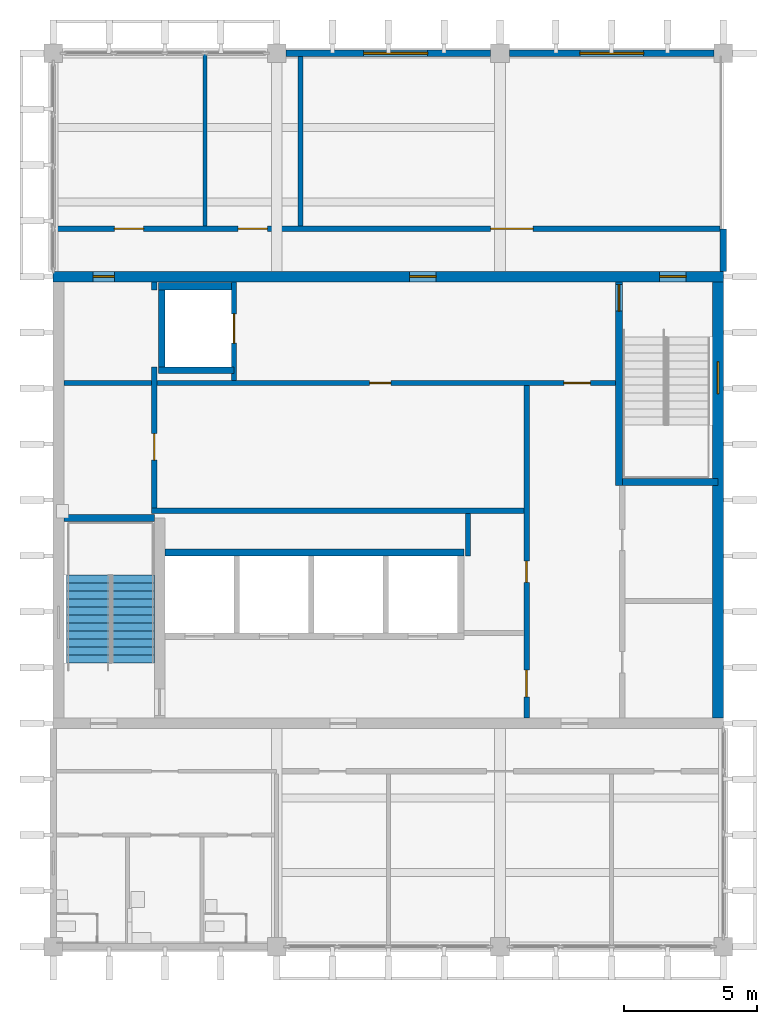
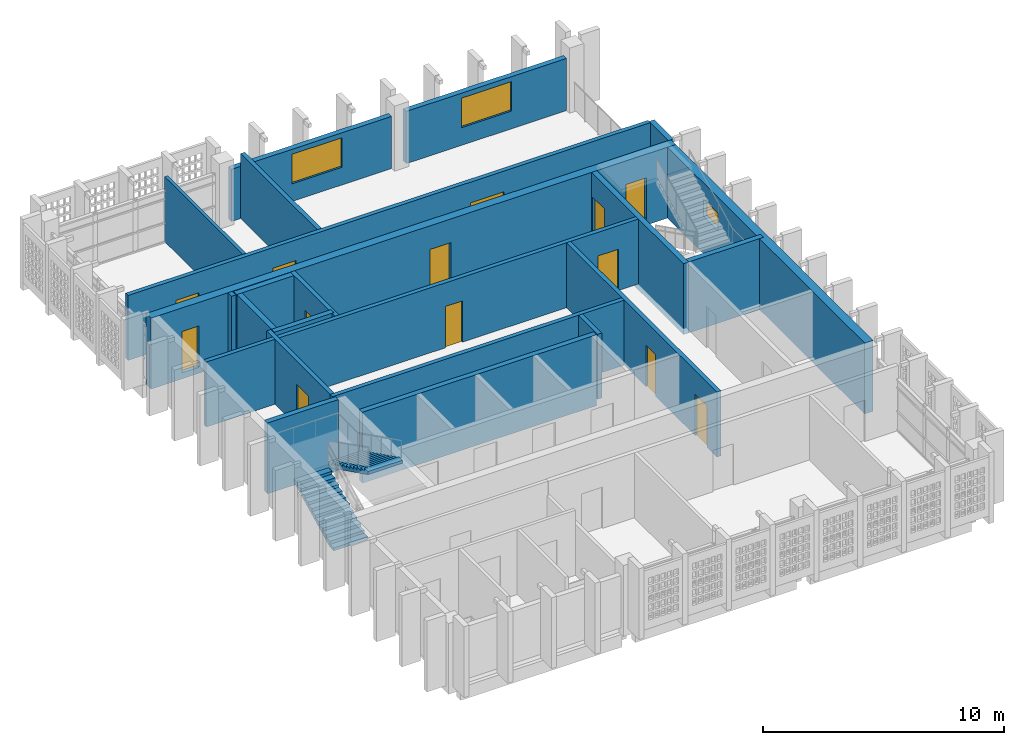
# One storey, part 5 of 13: 22 walls, 13 doors, 3 windows, 2 stair flights, 16 openings, 1 element without a shape of its own.
"""IFC4 building model written with IfcOpenShell, lengths in metres."""

from ifc_helpers import new_model, si_unit, direction, frame, frame_2d, origin, place, context, subcontext, project, spatial, polyline, rectangle, outline, extrude, material, layer, layer_set, type_object, element, fill, aggregate, save


model = new_model("IFC4")

# Units and contexts
model_context = context("Model", 3, precision=1e-05, world=origin(), true_north=direction((0.0, 1.0)))
body_context = subcontext(model_context, "Body", "Model", "MODEL_VIEW")
ifc_project = project(units=[si_unit("LENGTHUNIT", "METRE"), si_unit("AREAUNIT", "SQUARE_METRE"), si_unit("VOLUMEUNIT", "CUBIC_METRE"), si_unit("PLANEANGLEUNIT", "RADIAN"), si_unit("MASSUNIT", "GRAM", prefix="KILO")], contexts=[model_context])

# Site, building, storey
site_placement = place(None, origin())
site = spatial("IfcSite", under=ifc_project, at=site_placement, CompositionType="ELEMENT")
building_placement = place(site_placement, origin())
building = spatial("IfcBuilding", under=site, at=building_placement, Name="Rulbaag Community and Learning Centre", CompositionType="ELEMENT")
storey_placement = place(building_placement, frame((0.0, 0.0, 54.0)))
storey = spatial("IfcBuildingStorey", under=building, at=storey_placement, Name="L14", CompositionType="ELEMENT", Elevation=54.0)

# Wall, opening, window
ifc_material_1 = material(Name="Concrete M40", Category="concrete")
ifc_layer_1 = layer(ifc_material_1, 0.25)
ifc_layer_set_1 = layer_set([ifc_layer_1], Name="EW-CONC250")
wall_type_1 = type_object("IfcWallType", Name="EW-CONC250", PredefinedType="STANDARD", material=ifc_layer_set_1)
wall_1_placement = place(storey_placement, frame((151.550048828125, 117.60009765625, 0.0), z_axis=(0.0, 0.0, 1.0), x_axis=(1.0, 0.0, 0.0)))
wall_1 = element("IfcWall", 1, at=wall_1_placement, inside=storey, type_object=wall_type_1, Name="Board-marked concrete cladding wall BN", PredefinedType="STANDARD", context=body_context, shape_type="SweptSolid", body=[
    extrude(rectangle(XDim=7.699951171875, YDim=0.25, at=frame_2d((3.85009765625, 0.0))), origin(), (0.0, 0.0, 1.0), 2.64990234375),
])
opening_1_placement = place(wall_1_placement, frame((2.925048828125, 0.0, 0.89990234375)))
opening_1 = element("IfcOpeningElement", 2, at=opening_1_placement, cuts=wall_1, Name="Opening WN15", PredefinedType="OPENING", context=body_context, shape_type="SweptSolid", body=[
    extrude(rectangle(XDim=2.39990234375, YDim=1.5, at=frame_2d((1.199951171875, 0.75))), frame((0.0, 0.135009765625, 0.0), z_axis=(0.0, -1.0, 0.0), x_axis=(1.0, 0.0, 0.0)), (0.0, 0.0, 1.0), 0.27001953125),
])
ifc_material_2 = material(Name="Aluminium", Category="aluminium")
window_type_1 = type_object("IfcWindowType", Name="WR-24", PartitioningType="DOUBLE_PANEL_VERTICAL", PredefinedType="WINDOW", material=ifc_material_2)
window_1_placement = place(opening_1_placement, origin())
window_1 = element("IfcWindow", 3, at=window_1_placement, inside=storey, type_object=window_type_1, Name="Window WN15", OverallHeight=1.5, OverallWidth=2.39990234375, PartitioningType="SINGLE_PANEL", PredefinedType="WINDOW", context=body_context, shape_type="SweptSolid", body=[
    extrude(rectangle(XDim=2.39990234375, YDim=1.5, at=frame_2d((1.199951171875, 0.75))), frame((0.0, 0.030029296875, 0.0), z_axis=(0.0, -1.0, 0.0), x_axis=(1.0, 0.0, 0.0)), (0.0, 0.0, 1.0), 0.06005859375),
])
fill(opening_1, window_1)

wall_2_placement = place(storey_placement, frame((159.949951171875, 117.60009765625, 0.0), z_axis=(0.0, 0.0, 1.0), x_axis=(1.0, 0.0, 0.0)))
wall_2 = element("IfcWall", 4, at=wall_2_placement, inside=storey, type_object=wall_type_1, Name="Board-marked concrete cladding wall BN", PredefinedType="STANDARD", context=body_context, shape_type="SweptSolid", body=[
    extrude(rectangle(XDim=7.699951171875, YDim=0.25, at=frame_2d((3.85009765625, 0.0))), origin(), (0.0, 0.0, 1.0), 2.64990234375),
])
opening_2_placement = place(wall_2_placement, frame((2.64990234375, 0.0, 0.89990234375)))
opening_2 = element("IfcOpeningElement", 5, at=opening_2_placement, cuts=wall_2, Name="Opening WN15", PredefinedType="OPENING", context=body_context, shape_type="SweptSolid", body=[
    extrude(rectangle(XDim=2.39990234375, YDim=1.5, at=frame_2d((1.199951171875, 0.75))), frame((0.0, 0.135009765625, 0.0), z_axis=(0.0, -1.0, 0.0), x_axis=(1.0, 0.0, 0.0)), (0.0, 0.0, 1.0), 0.27001953125),
])
window_2_placement = place(opening_2_placement, origin())
window_2 = element("IfcWindow", 6, at=window_2_placement, inside=storey, type_object=window_type_1, Name="Window WN15", OverallHeight=1.5, OverallWidth=2.39990234375, PartitioningType="SINGLE_PANEL", PredefinedType="WINDOW", context=body_context, shape_type="SweptSolid", body=[
    extrude(rectangle(XDim=2.39990234375, YDim=1.5, at=frame_2d((1.199951171875, 0.75))), frame((0.0, 0.030029296875, 0.0), z_axis=(0.0, -1.0, 0.0), x_axis=(1.0, 0.0, 0.0)), (0.0, 0.0, 1.0), 0.06005859375),
])
fill(opening_2, window_2)

# Walls
wall_3_placement = place(storey_placement, frame((168.0, 109.39990234375, 0.0), z_axis=(0.0, 0.0, 1.0), x_axis=(0.0, 1.0, 0.0)))
element("IfcWall", 7, at=wall_3_placement, inside=storey, type_object=wall_type_1, Name="Board-marked concrete cladding wall BE", PredefinedType="STANDARD", context=body_context, shape_type="SweptSolid", body=[
    extrude(rectangle(XDim=1.60009765625, YDim=0.25, at=frame_2d((0.800048828125, 0.0))), origin(), (0.0, 0.0, 1.0), 3.300048828125),
])
ifc_material_3 = material(Name="Concrete blockwork", Category="masonry")
ifc_layer_2 = layer(ifc_material_3, 0.199951171875)
ifc_layer_set_2 = layer_set([ifc_layer_2], Name="FW-200 FIRE WALL 200")
wall_type_2 = type_object("IfcWallType", Name="FW-200 FIRE WALL 200", PredefinedType="SOLIDWALL", material=ifc_layer_set_2)
wall_4_placement = place(storey_placement, frame((146.5, 100.39990234375, 0.0), z_axis=(0.0, 0.0, 1.0), x_axis=(1.0, 0.0, 0.0)))
element("IfcWall", 8, at=wall_4_placement, inside=storey, type_object=wall_type_2, Name="Fire wall L14 8", PredefinedType="SOLIDWALL", context=body_context, shape_type="SweptSolid", body=[
    extrude(rectangle(XDim=14.0, YDim=0.199951171875, at=frame_2d((7.0, 0.0))), origin(), (0.0, 0.0, 1.0), 3.300048828125),
])

# Wall, openings, doors
wall_5_placement = place(storey_placement, frame((143.199951171875, 105.199951171875, 0.0), z_axis=(0.0, 0.0, 1.0), x_axis=(1.0, 0.0, 0.0)))
wall_5 = element("IfcWall", 9, at=wall_5_placement, inside=storey, type_object=wall_type_2, Name="Fire wall L14 9", PredefinedType="SOLIDWALL", context=body_context, shape_type="SweptSolid", body=[
    extrude(rectangle(XDim=20.75, YDim=0.199951171875, at=frame_2d((10.375, 0.0))), origin(), (0.0, 0.0, 1.0), 3.300048828125),
])
opening_3_placement = place(wall_5_placement, frame((11.5, 0.0, 0.0)))
opening_3 = element("IfcOpeningElement", 10, at=opening_3_placement, cuts=wall_5, Name="Opening L14-D019", PredefinedType="OPENING", context=body_context, shape_type="SweptSolid", body=[
    extrude(rectangle(XDim=0.800048828125, YDim=2.10009765625, at=frame_2d((0.39990234375, 1.050048828125))), frame((0.0, 0.10986328125, 0.0), z_axis=(0.0, -1.0, 0.0), x_axis=(1.0, 0.0, 0.0)), (0.0, 0.0, 1.0), 0.219970703125),
])
opening_4_placement = place(wall_5_placement, frame((18.800048828125, 0.0, 0.0)))
opening_4 = element("IfcOpeningElement", 11, at=opening_4_placement, cuts=wall_5, Name="Opening L14-D027", PredefinedType="OPENING", context=body_context, shape_type="SweptSolid", body=[
    extrude(rectangle(XDim=1.0, YDim=2.10009765625, at=frame_2d((0.5, 1.050048828125))), frame((0.0, 0.10986328125, 0.0), z_axis=(0.0, -1.0, 0.0), x_axis=(1.0, 0.0, 0.0)), (0.0, 0.0, 1.0), 0.219970703125),
])
ifc_material_4 = material(Name="Galvanised steel", Category="steel")
door_type_1 = type_object("IfcDoorType", Name="FD-1000 FIRE DOOR 1000 x 2100", OperationType="SINGLE_SWING_LEFT", PredefinedType="DOOR", material=ifc_material_4)
door_1_placement = place(opening_4_placement, origin())
door_1 = element("IfcDoor", 12, at=door_1_placement, inside=storey, type_object=door_type_1, Name="Door L14-D027", OperationType="SINGLE_SWING_LEFT", OverallHeight=2.10009765625, OverallWidth=1.0, PredefinedType="DOOR", context=body_context, shape_type="SweptSolid", body=[
    extrude(rectangle(XDim=1.0, YDim=2.10009765625, at=frame_2d((0.5, 1.050048828125))), frame((0.0, 0.02490234375, 0.0), z_axis=(0.0, -1.0, 0.0), x_axis=(1.0, 0.0, 0.0)), (0.0, 0.0, 1.0), 0.050048828125),
])
fill(opening_4, door_1)
door_type_2 = type_object("IfcDoorType", Name="FDR-800 RISER FIRE DOOR 800 x 2100", OperationType="SINGLE_SWING_LEFT", PredefinedType="DOOR", material=ifc_material_4)
door_2_placement = place(opening_3_placement, origin())
door_2 = element("IfcDoor", 13, at=door_2_placement, inside=storey, type_object=door_type_2, Name="Riser door L14-D022", OperationType="SINGLE_SWING_RIGHT", OverallHeight=2.10009765625, OverallWidth=0.800048828125, PredefinedType="DOOR", context=body_context, shape_type="SweptSolid", body=[
    extrude(rectangle(XDim=0.800048828125, YDim=2.10009765625, at=frame_2d((0.39990234375, 1.050048828125))), frame((0.0, 0.02490234375, 0.0), z_axis=(0.0, -1.0, 0.0), x_axis=(1.0, 0.0, 0.0)), (0.0, 0.0, 1.0), 0.050048828125),
])
fill(opening_3, door_2)

wall_6_placement = place(storey_placement, frame((142.800048828125, 111.0, 0.0), z_axis=(0.0, 0.0, 1.0), x_axis=(1.0, 0.0, 0.0)))
wall_6 = element("IfcWall", 14, at=wall_6_placement, inside=storey, type_object=wall_type_2, Name="Fire wall L14 10", PredefinedType="SOLIDWALL", context=body_context, shape_type="SweptSolid", body=[
    extrude(rectangle(XDim=25.074951171875, YDim=0.199951171875, at=frame_2d((12.53759765625, 0.0))), origin(), (0.0, 0.0, 1.0), 3.300048828125),
])
opening_5_placement = place(wall_6_placement, frame((2.300048828125, 0.0, 0.0)))
opening_5 = element("IfcOpeningElement", 15, at=opening_5_placement, cuts=wall_6, Name="Opening L14-D005", PredefinedType="OPENING", context=body_context, shape_type="SweptSolid", body=[
    extrude(rectangle(XDim=1.10009765625, YDim=2.25, at=frame_2d((0.550048828125, 1.125))), frame((0.0, 0.10986328125, 0.0), z_axis=(0.0, -1.0, 0.0), x_axis=(1.0, 0.0, 0.0)), (0.0, 0.0, 1.0), 0.219970703125),
])
opening_6_placement = place(wall_6_placement, frame((6.949951171875, 0.0, 0.0)))
opening_6 = element("IfcOpeningElement", 16, at=opening_6_placement, cuts=wall_6, Name="Opening L14-D014", PredefinedType="OPENING", context=body_context, shape_type="SweptSolid", body=[
    extrude(rectangle(XDim=1.10009765625, YDim=2.25, at=frame_2d((0.550048828125, 1.125))), frame((0.0, 0.10986328125, 0.0), z_axis=(0.0, -1.0, 0.0), x_axis=(1.0, 0.0, 0.0)), (0.0, 0.0, 1.0), 0.219970703125),
])
opening_7_placement = place(wall_6_placement, frame((16.449951171875, 0.0, 0.0)))
opening_7 = element("IfcOpeningElement", 17, at=opening_7_placement, cuts=wall_6, Name="Opening L14-D023", PredefinedType="OPENING", context=body_context, shape_type="SweptSolid", body=[
    extrude(rectangle(XDim=1.60009765625, YDim=2.25, at=frame_2d((0.800048828125, 1.125))), frame((0.0, 0.10986328125, 0.0), z_axis=(0.0, -1.0, 0.0), x_axis=(1.0, 0.0, 0.0)), (0.0, 0.0, 1.0), 0.219970703125),
])
ifc_material_5 = material(Name="Timber", Category="wood")
door_type_3 = type_object("IfcDoorType", Name="D-1100 OFFICE SUITE ENTRANCE DOOR 1100 x 2250", OperationType="SINGLE_SWING_LEFT", PredefinedType="DOOR", material=ifc_material_5)
door_3_placement = place(opening_5_placement, origin())
door_3 = element("IfcDoor", 18, at=door_3_placement, inside=storey, type_object=door_type_3, Name="Door L14-D005", OperationType="SINGLE_SWING_RIGHT", OverallHeight=2.25, OverallWidth=1.10009765625, PredefinedType="DOOR", context=body_context, shape_type="SweptSolid", body=[
    extrude(rectangle(XDim=1.10009765625, YDim=2.25, at=frame_2d((0.550048828125, 1.125))), frame((0.0, 0.02490234375, 0.0), z_axis=(0.0, -1.0, 0.0), x_axis=(1.0, 0.0, 0.0)), (0.0, 0.0, 1.0), 0.050048828125),
])
fill(opening_5, door_3)
door_4_placement = place(opening_6_placement, origin())
door_4 = element("IfcDoor", 19, at=door_4_placement, inside=storey, type_object=door_type_3, Name="Door L14-D014", OperationType="SINGLE_SWING_RIGHT", OverallHeight=2.25, OverallWidth=1.10009765625, PredefinedType="DOOR", context=body_context, shape_type="SweptSolid", body=[
    extrude(rectangle(XDim=1.10009765625, YDim=2.25, at=frame_2d((0.550048828125, 1.125))), frame((0.0, 0.02490234375, 0.0), z_axis=(0.0, -1.0, 0.0), x_axis=(1.0, 0.0, 0.0)), (0.0, 0.0, 1.0), 0.050048828125),
])
fill(opening_6, door_4)
door_type_4 = type_object("IfcDoorType", Name="FD-1600 REFUGE AREA DOUBLE FIRE DOOR 1600 x 2250", OperationType="DOUBLE_DOOR_SINGLE_SWING", PredefinedType="DOOR", material=ifc_material_5)
door_5_placement = place(opening_7_placement, origin())
door_5 = element("IfcDoor", 20, at=door_5_placement, inside=storey, type_object=door_type_4, Name="Door L14-D023", OperationType="DOUBLE_DOOR_SINGLE_SWING", OverallHeight=2.25, OverallWidth=1.60009765625, PredefinedType="DOOR", context=body_context, shape_type="SweptSolid", body=[
    extrude(rectangle(XDim=1.60009765625, YDim=2.25, at=frame_2d((0.800048828125, 1.125))), frame((0.0, 0.02490234375, 0.0), z_axis=(0.0, -1.0, 0.0), x_axis=(1.0, 0.0, 0.0)), (0.0, 0.0, 1.0), 0.050048828125),
])
fill(opening_7, door_5)

# Wall, opening, door
wall_7_placement = place(storey_placement, frame((146.60009765625, 100.5, 0.0), z_axis=(0.0, 0.0, 1.0), x_axis=(0.0, 1.0, 0.0)))
wall_7 = element("IfcWall", 21, at=wall_7_placement, inside=storey, type_object=wall_type_2, Name="Fire wall L14 12", PredefinedType="SOLIDWALL", context=body_context, shape_type="SweptSolid", body=[
    extrude(rectangle(XDim=5.300048828125, YDim=0.199951171875, at=frame_2d((2.64990234375, 0.0))), origin(), (0.0, 0.0, 1.0), 3.300048828125),
])
opening_8_placement = place(wall_7_placement, frame((1.800048828125, 0.0, 0.0)))
opening_8 = element("IfcOpeningElement", 22, at=opening_8_placement, cuts=wall_7, Name="Opening L14-D006", PredefinedType="OPENING", context=body_context, shape_type="SweptSolid", body=[
    extrude(rectangle(XDim=1.0, YDim=2.10009765625, at=frame_2d((0.5, 1.050048828125))), frame((0.0, 0.10986328125, 0.0), z_axis=(0.0, -1.0, 0.0), x_axis=(1.0, 0.0, 0.0)), (0.0, 0.0, 1.0), 0.219970703125),
])
door_6_placement = place(opening_8_placement, origin())
door_6 = element("IfcDoor", 23, at=door_6_placement, inside=storey, type_object=door_type_1, Name="Door L14-D006", OperationType="SINGLE_SWING_LEFT", OverallHeight=2.10009765625, OverallWidth=1.0, PredefinedType="DOOR", context=body_context, shape_type="SweptSolid", body=[
    extrude(rectangle(XDim=1.0, YDim=2.10009765625, at=frame_2d((0.5, 1.050048828125))), frame((0.0, 0.02490234375, 0.0), z_axis=(0.0, -1.0, 0.0), x_axis=(1.0, 0.0, 0.0)), (0.0, 0.0, 1.0), 0.050048828125),
])
fill(opening_8, door_6)

# Wall
wall_8_placement = place(storey_placement, frame((146.60009765625, 108.699951171875, 0.0), z_axis=(0.0, 0.0, 1.0), x_axis=(0.0, 1.0, 0.0)))
element("IfcWall", 24, at=wall_8_placement, inside=storey, type_object=wall_type_2, Name="Fire wall L14 13", PredefinedType="SOLIDWALL", context=body_context, shape_type="SweptSolid", body=[
    extrude(rectangle(XDim=0.300048828125, YDim=0.199951171875, at=frame_2d((0.14990234375, 0.0))), origin(), (0.0, 0.0, 1.0), 3.300048828125),
])

# Wall, opening, door
wall_9_placement = place(storey_placement, frame((149.60009765625, 105.300048828125, 0.0), z_axis=(0.0, 0.0, 1.0), x_axis=(0.0, 1.0, 0.0)))
wall_9 = element("IfcWall", 25, at=wall_9_placement, inside=storey, type_object=wall_type_2, Name="Fire wall L14 16", PredefinedType="SOLIDWALL", context=body_context, shape_type="SweptSolid", body=[
    extrude(rectangle(XDim=3.699951171875, YDim=0.199951171875, at=frame_2d((1.85009765625, 0.0))), origin(), (0.0, 0.0, 1.0), 3.300048828125),
])
opening_9_placement = place(wall_9_placement, frame((1.39990234375, 0.0, 0.0)))
opening_9 = element("IfcOpeningElement", 26, at=opening_9_placement, cuts=wall_9, Name="Opening L14-D011", PredefinedType="OPENING", context=body_context, shape_type="SweptSolid", body=[
    extrude(rectangle(XDim=1.10009765625, YDim=2.10009765625, at=frame_2d((0.550048828125, 1.050048828125))), frame((0.0, 0.10986328125, 0.0), z_axis=(0.0, -1.0, 0.0), x_axis=(1.0, 0.0, 0.0)), (0.0, 0.0, 1.0), 0.219970703125),
])
ifc_material_6 = material(Name="Stainless steel grade 304", Category="steel")
door_type_5 = type_object("IfcDoorType", Name="LD-1100 LIFT LANDING DOOR 1100 x 2100", OperationType="SLIDING_TO_LEFT", PredefinedType="DOOR", material=ifc_material_6)
door_7_placement = place(opening_9_placement, origin())
door_7 = element("IfcDoor", 27, at=door_7_placement, inside=storey, type_object=door_type_5, Name="Lift landing door LF1 L14", OperationType="SLIDING_TO_LEFT", OverallHeight=2.10009765625, OverallWidth=1.10009765625, PredefinedType="DOOR", context=body_context, shape_type="SweptSolid", body=[
    extrude(rectangle(XDim=1.10009765625, YDim=2.10009765625, at=frame_2d((0.550048828125, 1.050048828125))), frame((0.0, 0.02490234375, 0.0), z_axis=(0.0, -1.0, 0.0), x_axis=(1.0, 0.0, 0.0)), (0.0, 0.0, 1.0), 0.050048828125),
])
fill(opening_9, door_7)

# Walls
wall_10_placement = place(storey_placement, frame((152.10009765625, 111.10009765625, 0.0), z_axis=(0.0, 0.0, 1.0), x_axis=(0.0, 1.0, 0.0)))
element("IfcWall", 28, at=wall_10_placement, inside=storey, type_object=wall_type_2, Name="Fire wall L14 18", PredefinedType="SOLIDWALL", context=body_context, shape_type="SweptSolid", body=[
    extrude(rectangle(XDim=6.375, YDim=0.199951171875, at=frame_2d((3.1875, 0.0))), origin(), (0.0, 0.0, 1.0), 3.300048828125),
])
wall_11_placement = place(storey_placement, frame((158.39990234375, 98.699951171875, 0.0), z_axis=(0.0, 0.0, 1.0), x_axis=(0.0, 1.0, 0.0)))
element("IfcWall", 29, at=wall_11_placement, inside=storey, type_object=wall_type_2, Name="Fire wall L14 20", PredefinedType="SOLIDWALL", context=body_context, shape_type="SweptSolid", body=[
    extrude(rectangle(XDim=1.60009765625, YDim=0.199951171875, at=frame_2d((0.800048828125, 0.0))), origin(), (0.0, 0.0, 1.0), 3.300048828125),
])

# Wall, openings, doors
wall_12_placement = place(storey_placement, frame((160.60009765625, 92.60009765625, 0.0), z_axis=(0.0, 0.0, 1.0), x_axis=(0.0, 1.0, 0.0)))
wall_12 = element("IfcWall", 30, at=wall_12_placement, inside=storey, type_object=wall_type_2, Name="Fire wall L14 21", PredefinedType="SOLIDWALL", context=body_context, shape_type="SweptSolid", body=[
    extrude(rectangle(XDim=12.5, YDim=0.199951171875, at=frame_2d((6.25, 0.0))), origin(), (0.0, 0.0, 1.0), 3.300048828125),
])
opening_10_placement = place(wall_12_placement, frame((5.10009765625, 0.0, 0.0)))
opening_10 = element("IfcOpeningElement", 31, at=opening_10_placement, cuts=wall_12, Name="Opening L14-D025", PredefinedType="OPENING", context=body_context, shape_type="SweptSolid", body=[
    extrude(rectangle(XDim=0.800048828125, YDim=2.10009765625, at=frame_2d((0.39990234375, 1.050048828125))), frame((0.0, 0.10986328125, 0.0), z_axis=(0.0, -1.0, 0.0), x_axis=(1.0, 0.0, 0.0)), (0.0, 0.0, 1.0), 0.219970703125),
])
opening_11_placement = place(wall_12_placement, frame((0.800048828125, 0.0, 0.0)))
opening_11 = element("IfcOpeningElement", 32, at=opening_11_placement, cuts=wall_12, Name="Opening L14-D024", PredefinedType="OPENING", context=body_context, shape_type="SweptSolid", body=[
    extrude(rectangle(XDim=1.0, YDim=2.10009765625, at=frame_2d((0.5, 1.050048828125))), frame((0.0, 0.10986328125, 0.0), z_axis=(0.0, -1.0, 0.0), x_axis=(1.0, 0.0, 0.0)), (0.0, 0.0, 1.0), 0.219970703125),
])
door_8_placement = place(opening_11_placement, origin())
door_8 = element("IfcDoor", 33, at=door_8_placement, inside=storey, type_object=door_type_1, Name="Door L14-D024", OperationType="SINGLE_SWING_LEFT", OverallHeight=2.10009765625, OverallWidth=1.0, PredefinedType="DOOR", context=body_context, shape_type="SweptSolid", body=[
    extrude(rectangle(XDim=1.0, YDim=2.10009765625, at=frame_2d((0.5, 1.050048828125))), frame((0.0, 0.02490234375, 0.0), z_axis=(0.0, -1.0, 0.0), x_axis=(1.0, 0.0, 0.0)), (0.0, 0.0, 1.0), 0.050048828125),
])
fill(opening_11, door_8)
door_9_placement = place(opening_10_placement, origin())
door_9 = element("IfcDoor", 34, at=door_9_placement, inside=storey, type_object=door_type_2, Name="Riser door L14-D021", OperationType="SINGLE_SWING_RIGHT", OverallHeight=2.10009765625, OverallWidth=0.800048828125, PredefinedType="DOOR", context=body_context, shape_type="SweptSolid", body=[
    extrude(rectangle(XDim=0.800048828125, YDim=2.10009765625, at=frame_2d((0.39990234375, 1.050048828125))), frame((0.0, 0.02490234375, 0.0), z_axis=(0.0, -1.0, 0.0), x_axis=(1.0, 0.0, 0.0)), (0.0, 0.0, 1.0), 0.050048828125),
])
fill(opening_10, door_9)

# Walls
ifc_layer_3 = layer(ifc_material_3, 0.14990234375)
ifc_layer_set_3 = layer_set([ifc_layer_3], Name="IP-150 PARTITION 150")
wall_type_3 = type_object("IfcWallType", Name="IP-150 PARTITION 150", PredefinedType="PARTITIONING", material=ifc_layer_set_3)
wall_13_placement = place(storey_placement, frame((148.5, 111.10009765625, 0.0), z_axis=(0.0, 0.0, 1.0), x_axis=(0.0, 1.0, 0.0)))
element("IfcWall", 35, at=wall_13_placement, inside=storey, type_object=wall_type_3, Name="Partition L14 15", PredefinedType="PARTITIONING", context=body_context, shape_type="SweptSolid", body=[
    extrude(rectangle(XDim=6.5, YDim=0.14990234375, at=frame_2d((3.25, 0.0))), origin(), (0.0, 0.0, 1.0), 3.300048828125),
])
ifc_layer_4 = layer(ifc_material_1, 0.27490234375)
ifc_layer_set_4 = layer_set([ifc_layer_4], Name="W16 Shaft wall 275 Concrete M40")
wall_type_4 = type_object("IfcWallType", Name="W16 Shaft wall 275 Concrete M40", PredefinedType="SHEAR", material=ifc_layer_set_4)
wall_14_placement = place(storey_placement, frame((146.75, 108.83740234375, -0.300048828125), z_axis=(0.0, 0.0, 1.0), x_axis=(1.0, 0.0, 0.0)))
element("IfcWall", 36, at=wall_14_placement, inside=storey, type_object=wall_type_4, Name="WL-LF-N-L14", PredefinedType="SHEAR", context=body_context, shape_type="SweptSolid", body=[
    extrude(rectangle(XDim=2.85009765625, YDim=0.27490234375, at=frame_2d((1.425048828125, 0.0))), origin(), (0.0, 0.0, 1.0), 3.60009765625),
])

# Wall, openings, doors
ifc_material_7 = material(Name="Concrete M60", Category="concrete")
ifc_layer_5 = layer(ifc_material_7, 0.39990234375)
ifc_layer_set_5 = layer_set([ifc_layer_5], Name="W2 Core wall 400 Concrete M60")
wall_type_5 = type_object("IfcWallType", Name="W2 Core wall 400 Concrete M60", PredefinedType="SHEAR", material=ifc_layer_set_5)
wall_15_placement = place(storey_placement, frame((142.800048828125, 109.199951171875, -0.300048828125), z_axis=(0.0, 0.0, 1.0), x_axis=(1.0, 0.0, 0.0)))
wall_15 = element("IfcWall", 37, at=wall_15_placement, inside=storey, type_object=wall_type_5, Name="WL-CORE-N-L14", PredefinedType="SHEAR", context=body_context, shape_type="SweptSolid", body=[
    extrude(rectangle(XDim=25.199951171875, YDim=0.39990234375, at=frame_2d((12.60009765625, 0.0))), origin(), (0.0, 0.0, 1.0), 3.60009765625),
])
opening_12_placement = place(wall_15_placement, frame((22.800048828125, 0.0, 0.300048828125)))
opening_12 = element("IfcOpeningElement", 38, at=opening_12_placement, cuts=wall_15, Name="Opening L14-D032", PredefinedType="OPENING", context=body_context, shape_type="SweptSolid", body=[
    extrude(rectangle(XDim=1.0, YDim=2.10009765625, at=frame_2d((0.5, 1.050048828125))), frame((0.0, 0.2099609375, 0.0), z_axis=(0.0, -1.0, 0.0), x_axis=(1.0, 0.0, 0.0)), (0.0, 0.0, 1.0), 0.419921875),
])
opening_13_placement = place(wall_15_placement, frame((1.5, 0.0, 0.300048828125)))
opening_13 = element("IfcOpeningElement", 39, at=opening_13_placement, cuts=wall_15, Name="Opening L14-D004", PredefinedType="OPENING", context=body_context, shape_type="SweptSolid", body=[
    extrude(rectangle(XDim=0.800048828125, YDim=2.10009765625, at=frame_2d((0.39990234375, 1.050048828125))), frame((0.0, 0.2099609375, 0.0), z_axis=(0.0, -1.0, 0.0), x_axis=(1.0, 0.0, 0.0)), (0.0, 0.0, 1.0), 0.419921875),
])
opening_14_placement = place(wall_15_placement, frame((13.39990234375, 0.0, 0.300048828125)))
opening_14 = element("IfcOpeningElement", 40, at=opening_14_placement, cuts=wall_15, Name="Opening L14-D021", PredefinedType="OPENING", context=body_context, shape_type="SweptSolid", body=[
    extrude(rectangle(XDim=1.0, YDim=2.10009765625, at=frame_2d((0.5, 1.050048828125))), frame((0.0, 0.2099609375, 0.0), z_axis=(0.0, -1.0, 0.0), x_axis=(1.0, 0.0, 0.0)), (0.0, 0.0, 1.0), 0.419921875),
])
door_10_placement = place(opening_12_placement, origin())
door_10 = element("IfcDoor", 41, at=door_10_placement, inside=storey, type_object=door_type_1, Name="Door L14-D032", OperationType="SINGLE_SWING_LEFT", OverallHeight=2.10009765625, OverallWidth=1.0, PredefinedType="DOOR", context=body_context, shape_type="SweptSolid", body=[
    extrude(rectangle(XDim=1.0, YDim=2.10009765625, at=frame_2d((0.5, 1.050048828125))), frame((0.0, 0.02490234375, 0.0), z_axis=(0.0, -1.0, 0.0), x_axis=(1.0, 0.0, 0.0)), (0.0, 0.0, 1.0), 0.050048828125),
])
fill(opening_12, door_10)
door_11_placement = place(opening_14_placement, origin())
door_11 = element("IfcDoor", 42, at=door_11_placement, inside=storey, type_object=door_type_1, Name="Door L14-D021", OperationType="SINGLE_SWING_LEFT", OverallHeight=2.10009765625, OverallWidth=1.0, PredefinedType="DOOR", context=body_context, shape_type="SweptSolid", body=[
    extrude(rectangle(XDim=1.0, YDim=2.10009765625, at=frame_2d((0.5, 1.050048828125))), frame((0.0, 0.02490234375, 0.0), z_axis=(0.0, -1.0, 0.0), x_axis=(1.0, 0.0, 0.0)), (0.0, 0.0, 1.0), 0.050048828125),
])
fill(opening_14, door_11)
door_12_placement = place(opening_13_placement, origin())
door_12 = element("IfcDoor", 43, at=door_12_placement, inside=storey, type_object=door_type_2, Name="Riser door L14-D024", OperationType="SINGLE_SWING_LEFT", OverallHeight=2.10009765625, OverallWidth=0.800048828125, PredefinedType="DOOR", context=body_context, shape_type="SweptSolid", body=[
    extrude(rectangle(XDim=0.800048828125, YDim=2.10009765625, at=frame_2d((0.39990234375, 1.050048828125))), frame((0.0, 0.02490234375, 0.0), z_axis=(0.0, -1.0, 0.0), x_axis=(1.0, 0.0, 0.0)), (0.0, 0.0, 1.0), 0.050048828125),
])
fill(opening_13, door_12)

# Wall, opening, window
wall_16_placement = place(storey_placement, frame((167.800048828125, 92.60009765625, -0.300048828125), z_axis=(0.0, 0.0, 1.0), x_axis=(0.0, 1.0, 0.0)))
wall_16 = element("IfcWall", 44, at=wall_16_placement, inside=storey, type_object=wall_type_5, Name="WL-CORE-E-L14", PredefinedType="SHEAR", context=body_context, shape_type="SweptSolid", body=[
    extrude(rectangle(XDim=16.39990234375, YDim=0.39990234375, at=frame_2d((8.199951171875, 0.0))), origin(), (0.0, 0.0, 1.0), 3.60009765625),
])
opening_15_placement = place(wall_16_placement, frame((12.199951171875, 0.0, 1.89990234375)))
opening_15 = element("IfcOpeningElement", 45, at=opening_15_placement, cuts=wall_16, Name="Opening WN19", PredefinedType="OPENING", context=body_context, shape_type="SweptSolid", body=[
    extrude(rectangle(XDim=1.199951171875, YDim=0.89990234375, at=frame_2d((0.60009765625, 0.449951171875))), frame((0.0, 0.2099609375, 0.0), z_axis=(0.0, -1.0, 0.0), x_axis=(1.0, 0.0, 0.0)), (0.0, 0.0, 1.0), 0.419921875),
])
window_type_2 = type_object("IfcWindowType", Name="WS-12", PartitioningType="SINGLE_PANEL", PredefinedType="WINDOW", material=ifc_material_2)
window_3_placement = place(opening_15_placement, origin())
window_3 = element("IfcWindow", 46, at=window_3_placement, inside=storey, type_object=window_type_2, Name="Stair window", OverallHeight=0.89990234375, OverallWidth=1.199951171875, PartitioningType="SINGLE_PANEL", PredefinedType="WINDOW", context=body_context, shape_type="SweptSolid", body=[
    extrude(rectangle(XDim=1.199951171875, YDim=0.89990234375, at=frame_2d((0.60009765625, 0.449951171875))), frame((0.0, 0.030029296875, 0.0), z_axis=(0.0, -1.0, 0.0), x_axis=(1.0, 0.0, 0.0)), (0.0, 0.0, 1.0), 0.06005859375),
])
fill(opening_15, window_3)

# Wall
ifc_layer_6 = layer(ifc_material_1, 0.25)
ifc_layer_set_6 = layer_set([ifc_layer_6], Name="W5 Shaft wall 250 Concrete M40")
wall_type_6 = type_object("IfcWallType", Name="W5 Shaft wall 250 Concrete M40", PredefinedType="SHEAR", material=ifc_layer_set_6)
wall_17_placement = place(storey_placement, frame((143.199951171875, 100.125, -0.300048828125), z_axis=(0.0, 0.0, 1.0), x_axis=(1.0, 0.0, 0.0)))
element("IfcWall", 47, at=wall_17_placement, inside=storey, type_object=wall_type_6, Name="WL-ST1-N-L14", PredefinedType="SHEAR", context=body_context, shape_type="SweptSolid", body=[
    extrude(rectangle(XDim=3.400146484375, YDim=0.25, at=frame_2d((1.7001953125, 0.0))), origin(), (0.0, 0.0, 1.0), 3.60009765625),
])

# Wall, opening, door
wall_18_placement = place(storey_placement, frame((164.074951171875, 101.35009765625, -0.300048828125), z_axis=(0.0, 0.0, 1.0), x_axis=(0.0, 1.0, 0.0)))
wall_18 = element("IfcWall", 48, at=wall_18_placement, inside=storey, type_object=wall_type_6, Name="WL-ST2-W-L14", PredefinedType="SHEAR", context=body_context, shape_type="SweptSolid", body=[
    extrude(rectangle(XDim=7.64990234375, YDim=0.25, at=frame_2d((3.824951171875, 0.0))), origin(), (0.0, 0.0, 1.0), 3.60009765625),
])
opening_16_placement = place(wall_18_placement, frame((6.550048828125, 0.0, 0.300048828125)))
opening_16 = element("IfcOpeningElement", 49, at=opening_16_placement, cuts=wall_18, Name="Opening L14-D028", PredefinedType="OPENING", context=body_context, shape_type="SweptSolid", body=[
    extrude(rectangle(XDim=1.0, YDim=2.10009765625, at=frame_2d((0.5, 1.050048828125))), frame((0.0, 0.135009765625, 0.0), z_axis=(0.0, -1.0, 0.0), x_axis=(1.0, 0.0, 0.0)), (0.0, 0.0, 1.0), 0.27001953125),
])
door_13_placement = place(opening_16_placement, origin())
door_13 = element("IfcDoor", 50, at=door_13_placement, inside=storey, type_object=door_type_1, Name="Door L14-D028", OperationType="SINGLE_SWING_LEFT", OverallHeight=2.10009765625, OverallWidth=1.0, PredefinedType="DOOR", context=body_context, shape_type="SweptSolid", body=[
    extrude(rectangle(XDim=1.0, YDim=2.10009765625, at=frame_2d((0.5, 1.050048828125))), frame((0.0, 0.02490234375, 0.0), z_axis=(0.0, -1.0, 0.0), x_axis=(1.0, 0.0, 0.0)), (0.0, 0.0, 1.0), 0.050048828125),
])
fill(opening_16, door_13)

# Walls
wall_19_placement = place(storey_placement, frame((164.199951171875, 101.47509765625, -0.300048828125), z_axis=(0.0, 0.0, 1.0), x_axis=(1.0, 0.0, 0.0)))
element("IfcWall", 51, at=wall_19_placement, inside=storey, type_object=wall_type_6, Name="WL-ST2-S-L14", PredefinedType="SHEAR", context=body_context, shape_type="SweptSolid", body=[
    extrude(rectangle(XDim=3.60009765625, YDim=0.25, at=frame_2d((1.800048828125, 0.0))), origin(), (0.0, 0.0, 1.0), 3.60009765625),
])
wall_20_placement = place(storey_placement, frame((147.0, 98.824951171875, -0.300048828125), z_axis=(0.0, 0.0, 1.0), x_axis=(1.0, 0.0, 0.0)))
element("IfcWall", 52, at=wall_20_placement, inside=storey, type_object=wall_type_6, Name="WL-LP-N-L14", PredefinedType="SHEAR", context=body_context, shape_type="SweptSolid", body=[
    extrude(rectangle(XDim=11.25, YDim=0.25, at=frame_2d((5.625, 0.0))), origin(), (0.0, 0.0, 1.0), 3.60009765625),
])
wall_21_placement = place(storey_placement, frame((146.75, 105.675048828125, -0.300048828125), z_axis=(0.0, 0.0, 1.0), x_axis=(1.0, 0.0, 0.0)))
element("IfcWall", 53, at=wall_21_placement, inside=storey, type_object=wall_type_6, Name="WL-LF-S-L14", PredefinedType="SHEAR", context=body_context, shape_type="SweptSolid", body=[
    extrude(rectangle(XDim=2.85009765625, YDim=0.25, at=frame_2d((1.425048828125, 0.0))), origin(), (0.0, 0.0, 1.0), 3.60009765625),
])
wall_22_placement = place(storey_placement, frame((146.875, 105.800048828125, -0.300048828125), z_axis=(0.0, 0.0, 1.0), x_axis=(0.0, 1.0, 0.0)))
element("IfcWall", 54, at=wall_22_placement, inside=storey, type_object=wall_type_6, Name="WL-LF-W-L14", PredefinedType="SHEAR", context=body_context, shape_type="SweptSolid", body=[
    extrude(rectangle(XDim=2.89990234375, YDim=0.25, at=frame_2d((1.449951171875, 0.0))), origin(), (0.0, 0.0, 1.0), 3.60009765625),
])

# Stair, stair flights
stair_type = type_object("IfcStairType", Name="ST-1650 STAIR 1650 WIDE", PredefinedType="HALF_TURN_STAIR", material=ifc_material_1)
stair_placement = place(storey_placement, origin())
stair = element("IfcStair", 55, at=stair_placement, inside=storey, type_object=stair_type, Name="Stair ST1 L14", PredefinedType="HALF_TURN_STAIR")
stair_flight_type = type_object("IfcStairFlightType", Name="FL-1650 FLIGHT 1650 WIDE Concrete M40", PredefinedType="STRAIGHT", material=ifc_material_1)
stair_flight_1_placement = place(storey_placement, frame((144.125, 94.675048828125, 0.0), z_axis=(0.0, 0.0, 1.0), x_axis=(0.0, 1.0, 0.0)))
stair_flight_1 = element("IfcStairFlight", 56, at=stair_flight_1_placement, type_object=stair_flight_type, Name="ST1 flight 1", NumberOfRisers=12, NumberOfTreads=11, PredefinedType="STRAIGHT", RiserHeight=0.15, TreadLength=0.3, context=body_context, shape_type="SweptSolid", body=[
    extrude(outline(polyline([(0.0, 0.0), (0.0, 0.14990234375), (0.300048828125, 0.14990234375), (0.300048828125, 0.300048828125), (0.60009765625, 0.300048828125), (0.60009765625, 0.449951171875), (0.89990234375, 0.449951171875), (0.89990234375, 0.60009765625), (1.199951171875, 0.60009765625), (1.199951171875, 0.75), (1.5, 0.75), (1.5, 0.89990234375), (1.800048828125, 0.89990234375), (1.800048828125, 1.050048828125), (2.10009765625, 1.050048828125), (2.10009765625, 1.199951171875), (2.39990234375, 1.199951171875), (2.39990234375, 1.35009765625), (2.699951171875, 1.35009765625), (2.699951171875, 1.5), (3.0, 1.5), (3.0, 1.64990234375), (3.300048828125, 1.64990234375), (3.300048828125, 1.49365234375), (0.312744140625, 0.0), (0.0, 0.0)])), frame((0.0, 0.824951171875, 0.0), z_axis=(0.0, -1.0, 0.0), x_axis=(1.0, 0.0, 0.0)), (0.0, 0.0, 1.0), 1.64990234375),
])
stair_flight_2_placement = place(storey_placement, frame((145.77490234375, 97.97509765625, 1.800048828125), z_axis=(0.0, 0.0, 1.0), x_axis=(0.0, -1.0, 0.0)))
stair_flight_2 = element("IfcStairFlight", 57, at=stair_flight_2_placement, type_object=stair_flight_type, Name="ST1 flight 2", NumberOfRisers=12, NumberOfTreads=11, PredefinedType="STRAIGHT", RiserHeight=0.15, TreadLength=0.3, context=body_context, shape_type="SweptSolid", body=[
    extrude(outline(polyline([(0.0, 0.0), (0.0, 0.14990234375), (0.300048828125, 0.14990234375), (0.300048828125, 0.300048828125), (0.60009765625, 0.300048828125), (0.60009765625, 0.449951171875), (0.89990234375, 0.449951171875), (0.89990234375, 0.60009765625), (1.199951171875, 0.60009765625), (1.199951171875, 0.75), (1.5, 0.75), (1.5, 0.89990234375), (1.800048828125, 0.89990234375), (1.800048828125, 1.050048828125), (2.10009765625, 1.050048828125), (2.10009765625, 1.199951171875), (2.39990234375, 1.199951171875), (2.39990234375, 1.35009765625), (2.699951171875, 1.35009765625), (2.699951171875, 1.5), (3.0, 1.5), (3.0, 1.64990234375), (3.300048828125, 1.64990234375), (3.300048828125, 1.49365234375), (0.312744140625, 0.0), (0.0, 0.0)])), frame((0.0, 0.824951171875, 0.0), z_axis=(0.0, -1.0, 0.0), x_axis=(1.0, 0.0, 0.0)), (0.0, 0.0, 1.0), 1.64990234375),
])
aggregate(stair, [stair_flight_1, stair_flight_2])

save(model, "model.ifc")
